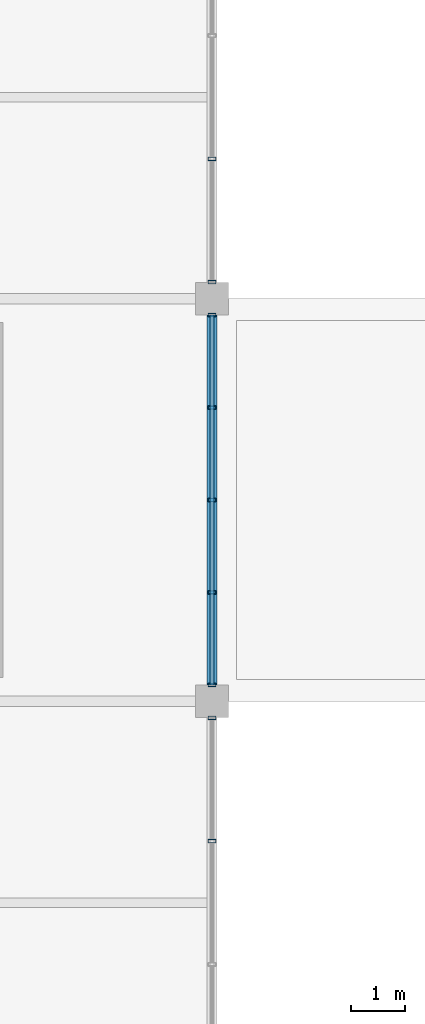
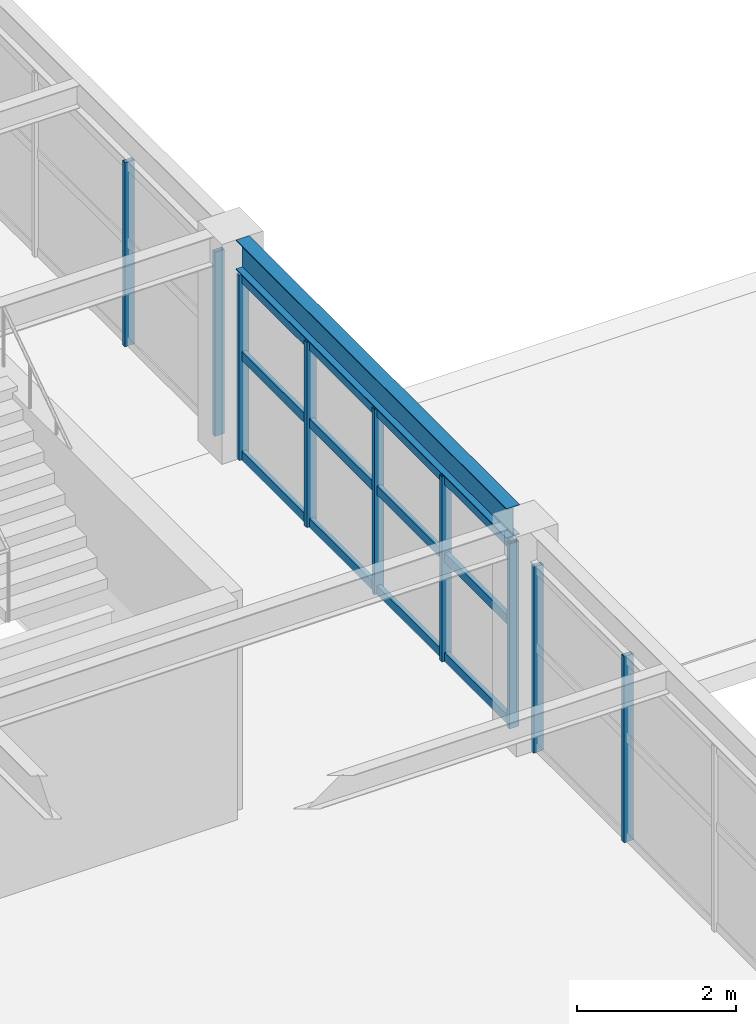
# One storey, part 23 of 121: 12 members, 1 beam, 3 elements without a shape of their own.
"""IFC4 building model written with IfcOpenShell, lengths in metres."""

import ifcopenshell
import ifcopenshell.guid

model = None  # the IFC model being written
_history = None  # IfcOwnerHistory: only IFC2X3 demands one
_inside = {}  # id of a spatial element -> (the spatial element, [elements in it])
_under = {}  # id of a project, library or spatial element -> (it, [spatial elements below it])
_declared = {}  # id of a project -> (the project, [libraries it declares])
_typed = {}  # id of a type object -> (the type object, [elements of that type])
_made_of = {}  # id of a material, layer set ... -> (it, [elements and type objects made of it])


def new_model(schema):
    """Start an empty IFC model of exactly this schema.

    Asked for "IFC4X3", IfcOpenShell would pick the latest addendum, in which some entities
    have other attributes; the version numbers below select the first issue.
    IFC2X3 requires an IfcOwnerHistory on every rooted entity: one is made here for all.
    """
    global model, _history
    if schema == "IFC4X3":
        model = ifcopenshell.file(schema_version=(4, 3, 0, 0))
    else:
        model = ifcopenshell.file(schema=schema)
    _inside.clear()
    _under.clear()
    _declared.clear()
    _typed.clear()
    _made_of.clear()
    _history = None
    if model.schema == "IFC2X3":
        org = make("IfcOrganization", Name="unknown")
        user = make(
            "IfcPersonAndOrganization",
            ThePerson=make("IfcPerson", FamilyName="unknown"),
            TheOrganization=org,
        )
        app = make(
            "IfcApplication",
            ApplicationDeveloper=org,
            Version="unknown",
            ApplicationFullName="unknown",
            ApplicationIdentifier="unknown",
        )
        _history = make(
            "IfcOwnerHistory",
            OwningUser=user,
            OwningApplication=app,
            ChangeAction="ADDED",
            CreationDate=0,
        )
    return model


def make(cls, **values):
    """One entity of the class cls with the attributes given. An attribute that is None is left unset."""
    return model.create_entity(
        cls, **{name: value for name, value in values.items() if value is not None}
    )


def rooted(cls, **values):
    """An entity with a GlobalId (a new one), such as an element, a storey or a relation."""
    return make(cls, GlobalId=ifcopenshell.guid.new(), OwnerHistory=_history, **values)


def si_unit(unit_type, name, prefix=None):
    """IfcSIUnit, for example si_unit("LENGTHUNIT", "METRE", prefix="MILLI")."""
    return make("IfcSIUnit", UnitType=unit_type, Prefix=prefix, Name=name)


def assignment(units):
    """IfcUnitAssignment: the units of a project."""
    return None if units is None else make("IfcUnitAssignment", Units=units)


def point(xyz):
    """IfcCartesianPoint."""
    return None if xyz is None else make("IfcCartesianPoint", Coordinates=xyz)


def direction(xyz):
    """IfcDirection."""
    return None if xyz is None else make("IfcDirection", DirectionRatios=xyz)


def frame(location, z_axis=None, x_axis=None):
    """IfcAxis2Placement3D, a coordinate frame: its origin and axes. An axis left out is left unset."""
    return make(
        "IfcAxis2Placement3D",
        Location=point(location),
        Axis=direction(z_axis),
        RefDirection=direction(x_axis),
    )


def frame_2d(location, x_axis=None):
    """IfcAxis2Placement2D, a coordinate frame in the plane: its origin and x axis."""
    return make(
        "IfcAxis2Placement2D", Location=point(location), RefDirection=direction(x_axis)
    )


def origin():
    """The frame at (0, 0, 0) with its axes left unset."""
    return frame((0.0, 0.0, 0.0))


def origin_2d():
    """The frame at (0, 0) in the plane with its x axis left unset."""
    return frame_2d((0.0, 0.0))


def place(relative_to, where):
    """IfcLocalPlacement: puts the frame where relative to a parent placement (None: the world)."""
    return make(
        "IfcLocalPlacement", PlacementRelTo=relative_to, RelativePlacement=where
    )


def context(
    kind, dimensions, precision=None, world=None, true_north=None, identifier=None
):
    """IfcGeometricRepresentationContext, for example the 3D "Model" context."""
    return make(
        "IfcGeometricRepresentationContext",
        ContextIdentifier=identifier,
        ContextType=kind,
        CoordinateSpaceDimension=dimensions,
        Precision=precision,
        WorldCoordinateSystem=world,
        TrueNorth=true_north,
    )


def subcontext(parent, identifier, kind, view, scale=None):
    """IfcGeometricRepresentationSubContext, for example "Body" below "Model"."""
    return make(
        "IfcGeometricRepresentationSubContext",
        ContextIdentifier=identifier,
        ContextType=kind,
        ParentContext=parent,
        TargetScale=scale,
        TargetView=view,
    )


def project(units=None, contexts=None):
    """IfcProject with its units and contexts."""
    return rooted(
        "IfcProject",
        Name="project",
        RepresentationContexts=contexts,
        UnitsInContext=assignment(units),
    )


def spatial(cls, under=None, at=None, **own):
    """A site, building, storey or space (cls), placed at a placement, below another one or the project."""
    s = rooted(cls, ObjectPlacement=at, **own)
    if under is not None:
        _under.setdefault(under.id(), (under, []))[1].append(s)
    return s


def profile(cls, at=None, kind="AREA", **sizes):
    """A parametric profile (cls). Its sizes go by their IFC names, for example OverallWidth=200.0."""
    return make(cls, ProfileType=kind, Position=at, **sizes)


def hollow_rectangle(**sizes):
    """IfcRectangleHollowProfileDef."""
    return profile("IfcRectangleHollowProfileDef", **sizes)


def i_section(**sizes):
    """IfcIShapeProfileDef."""
    return profile("IfcIShapeProfileDef", **sizes)


def extrude(swept, where, along, depth):
    """IfcExtrudedAreaSolid: the profile swept, set in the frame where, extruded along a direction by depth."""
    return make(
        "IfcExtrudedAreaSolid",
        SweptArea=swept,
        Position=where,
        ExtrudedDirection=direction(along),
        Depth=depth,
    )


def shape(context_of_items, identifier, shape_type, items):
    """IfcShapeRepresentation: the items that make up one representation, for example the "Body"."""
    return make(
        "IfcShapeRepresentation",
        ContextOfItems=context_of_items,
        RepresentationIdentifier=identifier,
        RepresentationType=shape_type,
        Items=items,
    )


def material(Name=None, Category=None):
    """IfcMaterial."""
    return make("IfcMaterial", Name=Name, Category=Category)


def material_profile(
    of_material, cross_section, Name=None, Category=None, Priority=None
):
    """IfcMaterialProfile: a cross section and its material."""
    return make(
        "IfcMaterialProfile",
        Name=Name,
        Material=of_material,
        Profile=cross_section,
        Priority=Priority,
        Category=Category,
    )


def profile_set(profiles, Name=None, composite=None):
    """IfcMaterialProfileSet."""
    return make(
        "IfcMaterialProfileSet",
        Name=Name,
        MaterialProfiles=profiles,
        CompositeProfile=composite,
    )


def made_of(thing, what):
    """Note that an element or type object is made of a material, layer set ...; save() writes the relation."""
    if what is not None:
        _made_of.setdefault(what.id(), (what, []))[1].append(thing)
    return thing


def type_object(cls, material=None, **own):
    """A type object (cls), such as IfcWallType, which elements share."""
    return made_of(rooted(cls, **own), material)


def element(
    cls,
    number,
    at=None,
    inside=None,
    cuts=None,
    type_object=None,
    material=None,
    context=None,
    identifier="Body",
    shape_type=None,
    held_by="IfcProductDefinitionShape",
    body=None,
    shapes=None,
    **own,
):
    """One element of the class cls, such as IfcWall. Its Tag is "e" and its number.

    at: its placement. inside: the storey or other place that contains it. cuts: it is an
    opening in that element (IfcRelVoidsElement). A single representation is given by context,
    identifier, shape_type and body (its items); several are given by shapes. held_by: the class
    of the entity that holds the representations. save() writes the other relations.
    """
    e = rooted(cls, Tag="e%d" % number, ObjectPlacement=at, **own)
    if body is not None:
        shapes = [shape(context, identifier, shape_type, body)]
    if shapes is not None:
        e.Representation = make(held_by, Representations=shapes)
    if inside is not None:
        _inside.setdefault(inside.id(), (inside, []))[1].append(e)
    if cuts is not None:
        rooted(
            "IfcRelVoidsElement", RelatingBuildingElement=cuts, RelatedOpeningElement=e
        )
    if type_object is not None:
        _typed.setdefault(type_object.id(), (type_object, []))[1].append(e)
    return made_of(e, material)


def aggregate(whole, parts):
    """IfcRelAggregates: a whole, such as a stair, and the parts it consists of."""
    return rooted("IfcRelAggregates", RelatingObject=whole, RelatedObjects=parts)


def save(model, path):
    """Write the relations noted so far, then the file.

    IfcRelAggregates (storeys below a building ...), IfcRelContainedInSpatialStructure (elements
    in a storey), IfcRelDefinesByType, IfcRelAssociatesMaterial and IfcRelDeclares: one each for
    every whole, place, type object, material and project.
    """
    for whole, parts in _under.values():
        aggregate(whole, parts)
    for where, things in _inside.values():
        rooted(
            "IfcRelContainedInSpatialStructure",
            RelatedElements=things,
            RelatingStructure=where,
        )
    for kind, things in _typed.values():
        rooted("IfcRelDefinesByType", RelatedObjects=things, RelatingType=kind)
    for what, things in _made_of.values():
        rooted("IfcRelAssociatesMaterial", RelatedObjects=things, RelatingMaterial=what)
    for by, libraries in _declared.values():
        rooted("IfcRelDeclares", RelatingContext=by, RelatedDefinitions=libraries)
    model.write(path)


model = new_model("IFC4")

# Units and contexts
model_context = context("Model", 3, precision=1e-05, world=origin(), true_north=direction((0.0, 1.0)))
body_context = subcontext(model_context, "Body", "Model", "MODEL_VIEW")
ifc_project = project(units=[si_unit("LENGTHUNIT", "METRE"), si_unit("AREAUNIT", "SQUARE_METRE"), si_unit("VOLUMEUNIT", "CUBIC_METRE"), si_unit("PLANEANGLEUNIT", "RADIAN"), si_unit("MASSUNIT", "GRAM", prefix="KILO")], contexts=[model_context])

# Site, building, storey
site_placement = place(None, origin())
site = spatial("IfcSite", under=ifc_project, at=site_placement, CompositionType="ELEMENT")
building_placement = place(site_placement, origin())
building = spatial("IfcBuilding", under=site, at=building_placement, Name="Cimatlan Art Gallery", CompositionType="ELEMENT")
storey_placement = place(building_placement, frame((0.0, 0.0, 10.199951171875)))
storey = spatial("IfcBuildingStorey", under=building, at=storey_placement, Name="L02", CompositionType="ELEMENT", Elevation=10.199951171875)

# Beam
ifc_material_1 = material(Name="Steel ASTM A992 Grade 50", Category="steel")
ifc_material_profile_1 = material_profile(ifc_material_1, i_section(OverallWidth=0.19091796875, OverallDepth=0.45703125, WebThickness=0.009033203125, FlangeThickness=0.014404296875, at=origin_2d()), Name="W18X50")
ifc_profile_set_1 = profile_set([ifc_material_profile_1], Name="Steel ASTM A992 Grade 50")
beam_type = type_object("IfcBeamType", Name="BM-STL-W18X50", PredefinedType="BEAM", material=ifc_profile_set_1)
beam_placement = place(storey_placement, frame((50.60009765625, 53.800048828125, 3.1416015625), z_axis=(0.0, 1.0, 0.0), x_axis=(-1.0, 0.0, 0.0)))
element("IfcBeam", 1, at=beam_placement, inside=storey, type_object=beam_type, Name="BM-Y-L02-06-07", PredefinedType="BEAM", context=body_context, shape_type="SweptSolid", body=[
    extrude(i_section(OverallWidth=0.19091796875, OverallDepth=0.45703125, WebThickness=0.009033203125, FlangeThickness=0.014404296875, at=origin_2d()), origin(), (0.0, 0.0, 1.0), 6.800048828125),
])

# Curtain wall, members
ifc_material_2 = material(Name="Anodised bronze unitised curtain wall")
curtain_wall_type_1 = type_object("IfcCurtainWallType", Name="CW-V-06792X02853-B3", PredefinedType="NOTDEFINED", material=ifc_material_2)
curtain_wall_1_placement = place(storey_placement, origin())
curtain_wall_1 = element("IfcCurtainWall", 2, at=curtain_wall_1_placement, inside=storey, type_object=curtain_wall_type_1, Name="CW-L02-05-06-E", PredefinedType="NOTDEFINED")
ifc_material_3 = material(Name="Anodised bronze aluminium 6063-T6", Category="aluminium")
ifc_material_profile_2 = material_profile(ifc_material_3, hollow_rectangle(XDim=0.06494140625, YDim=0.139892578125, WallThickness=0.00390625, at=origin_2d()), Name="ALU65X140X4")
ifc_profile_set_2 = profile_set([ifc_material_profile_2], Name="Anodised bronze aluminium 6063-T6")
member_type_1 = type_object("IfcMemberType", Name="CW-MUL-140", PredefinedType="MULLION", material=ifc_profile_set_2)
member_1_placement = place(storey_placement, frame((50.60009765625, 53.196044921875, 0.0), z_axis=(0.0, 0.0, 1.0), x_axis=(0.0, 1.0, 0.0)))
member_1 = element("IfcMember", 3, at=member_1_placement, type_object=member_type_1, Name="CW-L02-05-06-E-M1", PredefinedType="MULLION", context=body_context, shape_type="SweptSolid", body=[
    extrude(hollow_rectangle(XDim=0.06494140625, YDim=0.139892578125, WallThickness=0.00390625, at=origin_2d()), origin(), (0.0, 0.0, 1.0), 2.85302734375),
])
member_2_placement = place(storey_placement, frame((50.60009765625, 50.931884765625, 0.0), z_axis=(0.0, 0.0, 1.0), x_axis=(0.0, 1.0, 0.0)))
member_2 = element("IfcMember", 4, at=member_2_placement, type_object=member_type_1, Name="CW-L02-05-06-E-M2", PredefinedType="MULLION", context=body_context, shape_type="SweptSolid", body=[
    extrude(hollow_rectangle(XDim=0.06494140625, YDim=0.139892578125, WallThickness=0.00390625, at=origin_2d()), origin(), (0.0, 0.0, 1.0), 2.85302734375),
])
aggregate(curtain_wall_1, [member_1, member_2])

curtain_wall_type_2 = type_object("IfcCurtainWallType", Name="CW-V-06792X02838-B4", PredefinedType="NOTDEFINED", material=ifc_material_2)
curtain_wall_2_placement = place(storey_placement, origin())
curtain_wall_2 = element("IfcCurtainWall", 5, at=curtain_wall_2_placement, inside=storey, type_object=curtain_wall_type_2, Name="CW-L02-05-07-E", PredefinedType="NOTDEFINED")
member_3_placement = place(storey_placement, frame((50.60009765625, 60.595947265625, 0.0), z_axis=(0.0, 0.0, 1.0), x_axis=(0.0, 1.0, 0.0)))
member_3 = element("IfcMember", 6, at=member_3_placement, type_object=member_type_1, Name="CW-L02-05-07-E-M1", PredefinedType="MULLION", context=body_context, shape_type="SweptSolid", body=[
    extrude(hollow_rectangle(XDim=0.06494140625, YDim=0.139892578125, WallThickness=0.00390625, at=origin_2d()), origin(), (0.0, 0.0, 1.0), 2.838134765625),
])
member_4_placement = place(storey_placement, frame((50.60009765625, 58.89794921875, 0.0), z_axis=(0.0, 0.0, 1.0), x_axis=(0.0, 1.0, 0.0)))
member_4 = element("IfcMember", 7, at=member_4_placement, type_object=member_type_1, Name="CW-L02-05-07-E-M2", PredefinedType="MULLION", context=body_context, shape_type="SweptSolid", body=[
    extrude(hollow_rectangle(XDim=0.06494140625, YDim=0.139892578125, WallThickness=0.00390625, at=origin_2d()), origin(), (0.0, 0.0, 1.0), 2.838134765625),
])
member_5_placement = place(storey_placement, frame((50.60009765625, 57.199951171875, 0.0), z_axis=(0.0, 0.0, 1.0), x_axis=(0.0, 1.0, 0.0)))
member_5 = element("IfcMember", 8, at=member_5_placement, type_object=member_type_1, Name="CW-L02-05-07-E-M3", PredefinedType="MULLION", context=body_context, shape_type="SweptSolid", body=[
    extrude(hollow_rectangle(XDim=0.06494140625, YDim=0.139892578125, WallThickness=0.00390625, at=origin_2d()), origin(), (0.0, 0.0, 1.0), 2.838134765625),
])
member_6_placement = place(storey_placement, frame((50.60009765625, 55.501953125, 0.0), z_axis=(0.0, 0.0, 1.0), x_axis=(0.0, 1.0, 0.0)))
member_6 = element("IfcMember", 9, at=member_6_placement, type_object=member_type_1, Name="CW-L02-05-07-E-M4", PredefinedType="MULLION", context=body_context, shape_type="SweptSolid", body=[
    extrude(hollow_rectangle(XDim=0.06494140625, YDim=0.139892578125, WallThickness=0.00390625, at=origin_2d()), origin(), (0.0, 0.0, 1.0), 2.838134765625),
])
member_7_placement = place(storey_placement, frame((50.60009765625, 53.803955078125, 0.0), z_axis=(0.0, 0.0, 1.0), x_axis=(0.0, 1.0, 0.0)))
member_7 = element("IfcMember", 10, at=member_7_placement, type_object=member_type_1, Name="CW-L02-05-07-E-M5", PredefinedType="MULLION", context=body_context, shape_type="SweptSolid", body=[
    extrude(hollow_rectangle(XDim=0.06494140625, YDim=0.139892578125, WallThickness=0.00390625, at=origin_2d()), origin(), (0.0, 0.0, 1.0), 2.838134765625),
])

curtain_wall_type_3 = type_object("IfcCurtainWallType", Name="CW-V-06792X02823-B3", PredefinedType="NOTDEFINED", material=ifc_material_2)
curtain_wall_3_placement = place(storey_placement, origin())
curtain_wall_3 = element("IfcCurtainWall", 11, at=curtain_wall_3_placement, inside=storey, type_object=curtain_wall_type_3, Name="CW-L02-05-08-E", PredefinedType="NOTDEFINED")
member_8_placement = place(storey_placement, frame((50.60009765625, 63.468017578125, 0.0), z_axis=(0.0, 0.0, 1.0), x_axis=(0.0, 1.0, 0.0)))
member_8 = element("IfcMember", 12, at=member_8_placement, type_object=member_type_1, Name="CW-L02-05-08-E-M3", PredefinedType="MULLION", context=body_context, shape_type="SweptSolid", body=[
    extrude(hollow_rectangle(XDim=0.06494140625, YDim=0.139892578125, WallThickness=0.00390625, at=origin_2d()), origin(), (0.0, 0.0, 1.0), 2.822998046875),
])
member_9_placement = place(storey_placement, frame((50.60009765625, 61.2041015625, 0.0), z_axis=(0.0, 0.0, 1.0), x_axis=(0.0, 1.0, 0.0)))
member_9 = element("IfcMember", 13, at=member_9_placement, type_object=member_type_1, Name="CW-L02-05-08-E-M4", PredefinedType="MULLION", context=body_context, shape_type="SweptSolid", body=[
    extrude(hollow_rectangle(XDim=0.06494140625, YDim=0.139892578125, WallThickness=0.00390625, at=origin_2d()), origin(), (0.0, 0.0, 1.0), 2.822998046875),
])
aggregate(curtain_wall_3, [member_8, member_9])

# Member
ifc_material_profile_3 = material_profile(ifc_material_3, hollow_rectangle(XDim=0.06494140625, YDim=0.139892578125, WallThickness=0.00390625, at=origin_2d()), Name="ALU65X140X4")
ifc_profile_set_3 = profile_set([ifc_material_profile_3], Name="Anodised bronze aluminium 6063-T6")
member_type_2 = type_object("IfcMemberType", Name="CW-TRN-140", PredefinedType="USERDEFINED", material=ifc_profile_set_3)
member_10_placement = place(storey_placement, frame((50.60009765625, 60.595947265625, 0.06005859375), z_axis=(0.0, -1.0, 0.0), x_axis=(1.0, 0.0, 0.0)))
member_10 = element("IfcMember", 14, at=member_10_placement, type_object=member_type_2, Name="CW-L02-05-07-E-T1", ObjectType="TRANSOM", PredefinedType="USERDEFINED", context=body_context, shape_type="SweptSolid", body=[
    extrude(hollow_rectangle(XDim=0.06494140625, YDim=0.139892578125, WallThickness=0.00390625, at=origin_2d()), origin(), (0.0, 0.0, 1.0), 6.7919921875),
])

member_11_placement = place(storey_placement, frame((50.60009765625, 60.595947265625, 1.58935546875), z_axis=(0.0, -1.0, 0.0), x_axis=(1.0, 0.0, 0.0)))
member_11 = element("IfcMember", 15, at=member_11_placement, type_object=member_type_2, Name="CW-L02-05-07-E-T2", ObjectType="TRANSOM", PredefinedType="USERDEFINED", context=body_context, shape_type="SweptSolid", body=[
    extrude(hollow_rectangle(XDim=0.06494140625, YDim=0.139892578125, WallThickness=0.00390625, at=origin_2d()), origin(), (0.0, 0.0, 1.0), 6.7919921875),
])

member_12_placement = place(storey_placement, frame((50.60009765625, 60.595947265625, 2.778076171875), z_axis=(0.0, -1.0, 0.0), x_axis=(1.0, 0.0, 0.0)))
member_12 = element("IfcMember", 16, at=member_12_placement, type_object=member_type_2, Name="CW-L02-05-07-E-T3", ObjectType="TRANSOM", PredefinedType="USERDEFINED", context=body_context, shape_type="SweptSolid", body=[
    extrude(hollow_rectangle(XDim=0.06494140625, YDim=0.139892578125, WallThickness=0.00390625, at=origin_2d()), origin(), (0.0, 0.0, 1.0), 6.7919921875),
])

aggregate(curtain_wall_2, [member_3, member_4, member_5, member_6, member_7, member_10, member_11, member_12])

save(model, "model.ifc")
